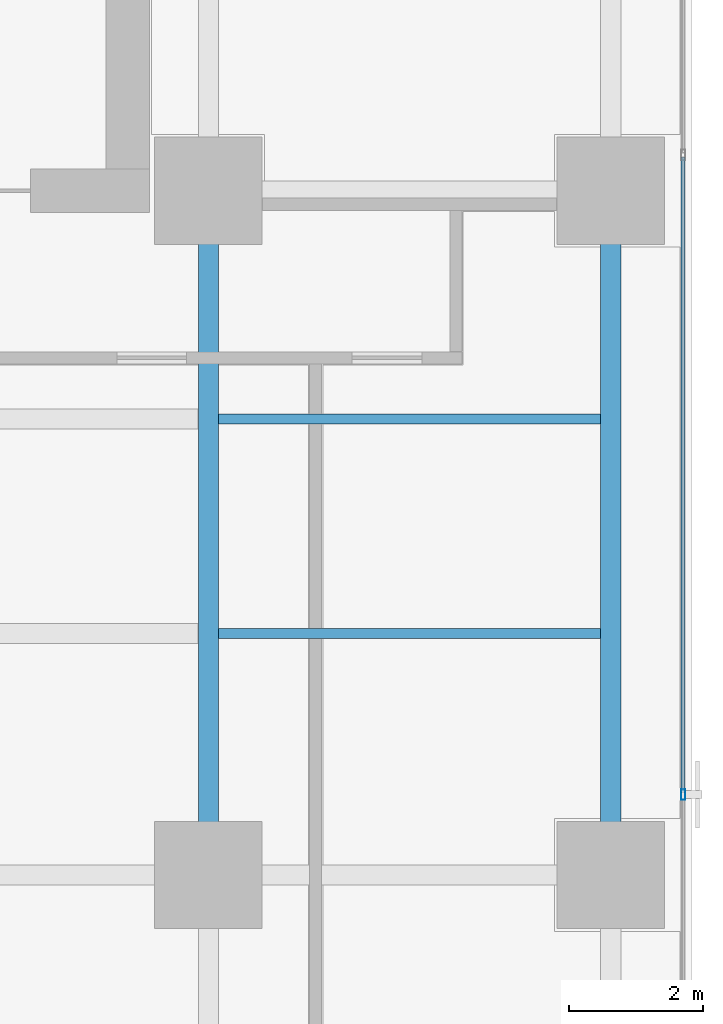
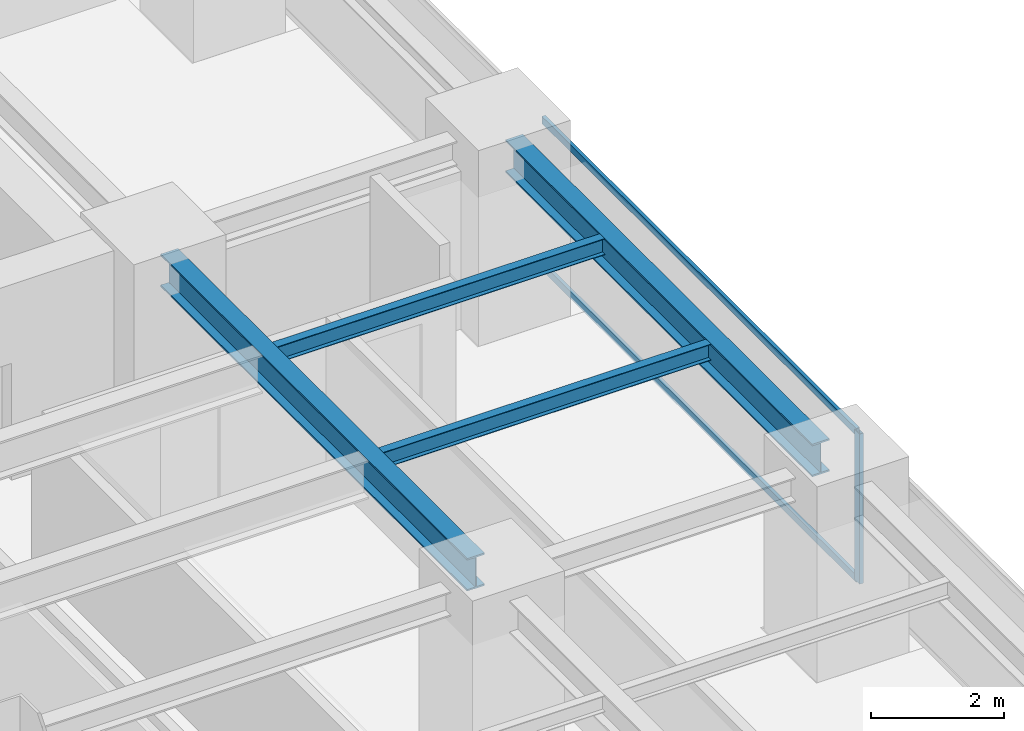
# One storey, part 13 of 28: 4 beams, 3 members, 1 element without a shape of its own.
"""IFC4 building model written with IfcOpenShell, lengths in metres."""

import ifcopenshell
import ifcopenshell.guid

model = None  # the IFC model being written
_history = None  # IfcOwnerHistory: only IFC2X3 demands one
_inside = {}  # id of a spatial element -> (the spatial element, [elements in it])
_under = {}  # id of a project, library or spatial element -> (it, [spatial elements below it])
_declared = {}  # id of a project -> (the project, [libraries it declares])
_typed = {}  # id of a type object -> (the type object, [elements of that type])
_made_of = {}  # id of a material, layer set ... -> (it, [elements and type objects made of it])


def new_model(schema):
    """Start an empty IFC model of exactly this schema.

    Asked for "IFC4X3", IfcOpenShell would pick the latest addendum, in which some entities
    have other attributes; the version numbers below select the first issue.
    IFC2X3 requires an IfcOwnerHistory on every rooted entity: one is made here for all.
    """
    global model, _history
    if schema == "IFC4X3":
        model = ifcopenshell.file(schema_version=(4, 3, 0, 0))
    else:
        model = ifcopenshell.file(schema=schema)
    _inside.clear()
    _under.clear()
    _declared.clear()
    _typed.clear()
    _made_of.clear()
    _history = None
    if model.schema == "IFC2X3":
        org = make("IfcOrganization", Name="unknown")
        user = make(
            "IfcPersonAndOrganization",
            ThePerson=make("IfcPerson", FamilyName="unknown"),
            TheOrganization=org,
        )
        app = make(
            "IfcApplication",
            ApplicationDeveloper=org,
            Version="unknown",
            ApplicationFullName="unknown",
            ApplicationIdentifier="unknown",
        )
        _history = make(
            "IfcOwnerHistory",
            OwningUser=user,
            OwningApplication=app,
            ChangeAction="ADDED",
            CreationDate=0,
        )
    return model


def make(cls, **values):
    """One entity of the class cls with the attributes given. An attribute that is None is left unset."""
    return model.create_entity(
        cls, **{name: value for name, value in values.items() if value is not None}
    )


def rooted(cls, **values):
    """An entity with a GlobalId (a new one), such as an element, a storey or a relation."""
    return make(cls, GlobalId=ifcopenshell.guid.new(), OwnerHistory=_history, **values)


def si_unit(unit_type, name, prefix=None):
    """IfcSIUnit, for example si_unit("LENGTHUNIT", "METRE", prefix="MILLI")."""
    return make("IfcSIUnit", UnitType=unit_type, Prefix=prefix, Name=name)


def assignment(units):
    """IfcUnitAssignment: the units of a project."""
    return None if units is None else make("IfcUnitAssignment", Units=units)


def point(xyz):
    """IfcCartesianPoint."""
    return None if xyz is None else make("IfcCartesianPoint", Coordinates=xyz)


def direction(xyz):
    """IfcDirection."""
    return None if xyz is None else make("IfcDirection", DirectionRatios=xyz)


def frame(location, z_axis=None, x_axis=None):
    """IfcAxis2Placement3D, a coordinate frame: its origin and axes. An axis left out is left unset."""
    return make(
        "IfcAxis2Placement3D",
        Location=point(location),
        Axis=direction(z_axis),
        RefDirection=direction(x_axis),
    )


def frame_2d(location, x_axis=None):
    """IfcAxis2Placement2D, a coordinate frame in the plane: its origin and x axis."""
    return make(
        "IfcAxis2Placement2D", Location=point(location), RefDirection=direction(x_axis)
    )


def origin():
    """The frame at (0, 0, 0) with its axes left unset."""
    return frame((0.0, 0.0, 0.0))


def origin_2d():
    """The frame at (0, 0) in the plane with its x axis left unset."""
    return frame_2d((0.0, 0.0))


def place(relative_to, where):
    """IfcLocalPlacement: puts the frame where relative to a parent placement (None: the world)."""
    return make(
        "IfcLocalPlacement", PlacementRelTo=relative_to, RelativePlacement=where
    )


def context(
    kind, dimensions, precision=None, world=None, true_north=None, identifier=None
):
    """IfcGeometricRepresentationContext, for example the 3D "Model" context."""
    return make(
        "IfcGeometricRepresentationContext",
        ContextIdentifier=identifier,
        ContextType=kind,
        CoordinateSpaceDimension=dimensions,
        Precision=precision,
        WorldCoordinateSystem=world,
        TrueNorth=true_north,
    )


def subcontext(parent, identifier, kind, view, scale=None):
    """IfcGeometricRepresentationSubContext, for example "Body" below "Model"."""
    return make(
        "IfcGeometricRepresentationSubContext",
        ContextIdentifier=identifier,
        ContextType=kind,
        ParentContext=parent,
        TargetScale=scale,
        TargetView=view,
    )


def project(units=None, contexts=None):
    """IfcProject with its units and contexts."""
    return rooted(
        "IfcProject",
        Name="project",
        RepresentationContexts=contexts,
        UnitsInContext=assignment(units),
    )


def spatial(cls, under=None, at=None, **own):
    """A site, building, storey or space (cls), placed at a placement, below another one or the project."""
    s = rooted(cls, ObjectPlacement=at, **own)
    if under is not None:
        _under.setdefault(under.id(), (under, []))[1].append(s)
    return s


def profile(cls, at=None, kind="AREA", **sizes):
    """A parametric profile (cls). Its sizes go by their IFC names, for example OverallWidth=200.0."""
    return make(cls, ProfileType=kind, Position=at, **sizes)


def hollow_rectangle(**sizes):
    """IfcRectangleHollowProfileDef."""
    return profile("IfcRectangleHollowProfileDef", **sizes)


def i_section(**sizes):
    """IfcIShapeProfileDef."""
    return profile("IfcIShapeProfileDef", **sizes)


def extrude(swept, where, along, depth):
    """IfcExtrudedAreaSolid: the profile swept, set in the frame where, extruded along a direction by depth."""
    return make(
        "IfcExtrudedAreaSolid",
        SweptArea=swept,
        Position=where,
        ExtrudedDirection=direction(along),
        Depth=depth,
    )


def shape(context_of_items, identifier, shape_type, items):
    """IfcShapeRepresentation: the items that make up one representation, for example the "Body"."""
    return make(
        "IfcShapeRepresentation",
        ContextOfItems=context_of_items,
        RepresentationIdentifier=identifier,
        RepresentationType=shape_type,
        Items=items,
    )


def source(mapping_origin, context_of_items, identifier, shape_type, items):
    """IfcRepresentationMap: a shape defined once, which mapped items show again and again."""
    return make(
        "IfcRepresentationMap",
        MappingOrigin=mapping_origin,
        MappedRepresentation=shape(context_of_items, identifier, shape_type, items),
    )


def transform(
    local_origin,
    x_axis=None,
    y_axis=None,
    z_axis=None,
    scale=None,
    scale2=None,
    scale3=None,
    uniform=True,
):
    """IfcCartesianTransformationOperator3D, or its non-uniform kind. x_axis, y_axis, z_axis: its Axis1, 2, 3."""
    if uniform:
        return make(
            "IfcCartesianTransformationOperator3D",
            Axis1=direction(x_axis),
            Axis2=direction(y_axis),
            LocalOrigin=point(local_origin),
            Scale=scale,
            Axis3=direction(z_axis),
        )
    return make(
        "IfcCartesianTransformationOperator3DnonUniform",
        Axis1=direction(x_axis),
        Axis2=direction(y_axis),
        LocalOrigin=point(local_origin),
        Scale=scale,
        Axis3=direction(z_axis),
        Scale2=scale2,
        Scale3=scale3,
    )


def mapped(mapping_source, mapping_target):
    """IfcMappedItem: shows the shape of a source again, moved by a transform."""
    return make(
        "IfcMappedItem", MappingSource=mapping_source, MappingTarget=mapping_target
    )


def material(Name=None, Category=None):
    """IfcMaterial."""
    return make("IfcMaterial", Name=Name, Category=Category)


def layer(
    of_material, thickness, ventilated=None, Name=None, Category=None, Priority=None
):
    """IfcMaterialLayer: one layer of a wall or slab, of a material (None: an air gap)."""
    return make(
        "IfcMaterialLayer",
        Material=of_material,
        LayerThickness=thickness,
        IsVentilated=ventilated,
        Name=Name,
        Category=Category,
        Priority=Priority,
    )


def layer_set(layers, Name=None):
    """IfcMaterialLayerSet."""
    return make("IfcMaterialLayerSet", MaterialLayers=layers, LayerSetName=Name)


def material_profile(
    of_material, cross_section, Name=None, Category=None, Priority=None
):
    """IfcMaterialProfile: a cross section and its material."""
    return make(
        "IfcMaterialProfile",
        Name=Name,
        Material=of_material,
        Profile=cross_section,
        Priority=Priority,
        Category=Category,
    )


def profile_set(profiles, Name=None, composite=None):
    """IfcMaterialProfileSet."""
    return make(
        "IfcMaterialProfileSet",
        Name=Name,
        MaterialProfiles=profiles,
        CompositeProfile=composite,
    )


def made_of(thing, what):
    """Note that an element or type object is made of a material, layer set ...; save() writes the relation."""
    if what is not None:
        _made_of.setdefault(what.id(), (what, []))[1].append(thing)
    return thing


def type_object(cls, material=None, **own):
    """A type object (cls), such as IfcWallType, which elements share."""
    return made_of(rooted(cls, **own), material)


def element(
    cls,
    number,
    at=None,
    inside=None,
    cuts=None,
    type_object=None,
    material=None,
    context=None,
    identifier="Body",
    shape_type=None,
    held_by="IfcProductDefinitionShape",
    body=None,
    shapes=None,
    **own,
):
    """One element of the class cls, such as IfcWall. Its Tag is "e" and its number.

    at: its placement. inside: the storey or other place that contains it. cuts: it is an
    opening in that element (IfcRelVoidsElement). A single representation is given by context,
    identifier, shape_type and body (its items); several are given by shapes. held_by: the class
    of the entity that holds the representations. save() writes the other relations.
    """
    e = rooted(cls, Tag="e%d" % number, ObjectPlacement=at, **own)
    if body is not None:
        shapes = [shape(context, identifier, shape_type, body)]
    if shapes is not None:
        e.Representation = make(held_by, Representations=shapes)
    if inside is not None:
        _inside.setdefault(inside.id(), (inside, []))[1].append(e)
    if cuts is not None:
        rooted(
            "IfcRelVoidsElement", RelatingBuildingElement=cuts, RelatedOpeningElement=e
        )
    if type_object is not None:
        _typed.setdefault(type_object.id(), (type_object, []))[1].append(e)
    return made_of(e, material)


def aggregate(whole, parts):
    """IfcRelAggregates: a whole, such as a stair, and the parts it consists of."""
    return rooted("IfcRelAggregates", RelatingObject=whole, RelatedObjects=parts)


def save(model, path):
    """Write the relations noted so far, then the file.

    IfcRelAggregates (storeys below a building ...), IfcRelContainedInSpatialStructure (elements
    in a storey), IfcRelDefinesByType, IfcRelAssociatesMaterial and IfcRelDeclares: one each for
    every whole, place, type object, material and project.
    """
    for whole, parts in _under.values():
        aggregate(whole, parts)
    for where, things in _inside.values():
        rooted(
            "IfcRelContainedInSpatialStructure",
            RelatedElements=things,
            RelatingStructure=where,
        )
    for kind, things in _typed.values():
        rooted("IfcRelDefinesByType", RelatedObjects=things, RelatingType=kind)
    for what, things in _made_of.values():
        rooted("IfcRelAssociatesMaterial", RelatedObjects=things, RelatingMaterial=what)
    for by, libraries in _declared.values():
        rooted("IfcRelDeclares", RelatingContext=by, RelatedDefinitions=libraries)
    model.write(path)


model = new_model("IFC4")

# Units and contexts
model_context = context("Model", 3, precision=1e-05, world=origin(), true_north=direction((0.0, 1.0)))
body_context = subcontext(model_context, "Body", "Model", "MODEL_VIEW")
ifc_project = project(units=[si_unit("LENGTHUNIT", "METRE"), si_unit("AREAUNIT", "SQUARE_METRE"), si_unit("VOLUMEUNIT", "CUBIC_METRE"), si_unit("PLANEANGLEUNIT", "RADIAN"), si_unit("MASSUNIT", "GRAM", prefix="KILO")], contexts=[model_context])

# Site, building, storey
site_placement = place(None, origin())
site = spatial("IfcSite", under=ifc_project, at=site_placement, CompositionType="ELEMENT")
building_placement = place(site_placement, origin())
building = spatial("IfcBuilding", under=site, at=building_placement, Name="Sumidabori Civic Tower", CompositionType="ELEMENT")
storey_placement = place(building_placement, frame((0.0, 0.0, 171.199951171875)))
storey = spatial("IfcBuildingStorey", under=building, at=storey_placement, Name="L44", CompositionType="ELEMENT", Elevation=171.199951171875)

# Beams
ifc_material_1 = material(Name="Steel SN490", Category="steel")
ifc_material_profile_1 = material_profile(ifc_material_1, i_section(OverallWidth=0.300048828125, OverallDepth=0.60009765625, WebThickness=0.015380859375, FlangeThickness=0.030029296875, at=origin_2d()), Name="HE 600 B")
ifc_profile_set_1 = profile_set([ifc_material_profile_1], Name="Steel SN490")
beam_type_1 = type_object("IfcBeamType", Name="BM-GIRD-600", PredefinedType="BEAM", material=ifc_profile_set_1)
shared_shape_1 = source(origin(), body_context, "Body", "SweptSolid", [
    extrude(i_section(OverallWidth=0.300048828125, OverallDepth=0.60009765625, WebThickness=0.015380859375, FlangeThickness=0.030029296875, at=origin_2d()), origin(), (0.0, 0.0, 1.0), 9.239990234375),
])
for number, where, z_axis, x_axis, name in (
    (1, (16.800048828125, 0.47998046875, 3.080078125), (0.0, 1.0, 0.0), (-1.0, 0.0, 0.0), "Primary Girder L44 GY-34"),
    (2, (22.800048828125, 0.47998046875, 3.080078125), (0.0, 1.0, 0.0), (-1.0, 0.0, 0.0), "Primary Girder L44 GY-37"),
):
    element("IfcBeam", number, at=place(storey_placement, frame(where, z_axis=z_axis, x_axis=x_axis)), inside=storey, type_object=beam_type_1, Name=name, PredefinedType="BEAM", context=body_context, shape_type="MappedRepresentation", body=[
        mapped(shared_shape_1, transform((0.0, 0.0, 0.0), x_axis=(1.0, 0.0, 0.0), y_axis=(0.0, 1.0, 0.0), z_axis=(0.0, 0.0, 1.0), scale=1.0)),
    ])
ifc_material_profile_2 = material_profile(ifc_material_1, i_section(OverallWidth=0.14990234375, OverallDepth=0.300048828125, WebThickness=0.007080078125, FlangeThickness=0.0107421875, at=origin_2d()), Name="IPE 300")
ifc_profile_set_2 = profile_set([ifc_material_profile_2], Name="Steel SN490")
beam_type_2 = type_object("IfcBeamType", Name="BM-JST-300", PredefinedType="JOIST", material=ifc_profile_set_2)
shared_shape_2 = source(origin(), body_context, "Body", "SweptSolid", [
    extrude(i_section(OverallWidth=0.14990234375, OverallDepth=0.300048828125, WebThickness=0.007080078125, FlangeThickness=0.0107421875, at=origin_2d()), origin(), (0.0, 0.0, 1.0), 5.699951171875),
])
for number, where, z_axis, x_axis, name in (
    (3, (16.949951171875, 3.60009765625, 3.22998046875), (1.0, 0.0, 0.0), (0.0, 1.0, 0.0), "Outer Bay Floor Joist L44 JSTO-44"),
    (4, (16.949951171875, 6.800048828125, 3.22998046875), (1.0, 0.0, 0.0), (0.0, 1.0, 0.0), "Outer Bay Floor Joist L44 JSTO-46"),
):
    element("IfcBeam", number, at=place(storey_placement, frame(where, z_axis=z_axis, x_axis=x_axis)), inside=storey, type_object=beam_type_2, Name=name, PredefinedType="JOIST", context=body_context, shape_type="MappedRepresentation", body=[
        mapped(shared_shape_2, transform((0.0, 0.0, 0.0), x_axis=(1.0, 0.0, 0.0), y_axis=(0.0, 1.0, 0.0), z_axis=(0.0, 0.0, 1.0), scale=1.0)),
    ])

# Curtain wall, members
ifc_material_2 = material(Name="Anodised Bronze Aluminium AW-6063-T6", Category="aluminium")
ifc_layer = layer(ifc_material_2, 0.179931640625, Name="Anodised Bronze Aluminium AW-6063-T6")
ifc_layer_set = layer_set([ifc_layer], Name="Anodised Bronze Aluminium AW-6063-T6")
curtain_wall_type = type_object("IfcCurtainWallType", Name="CW-SYS-3", PredefinedType="NOTDEFINED", material=ifc_layer_set)
curtain_wall_placement = place(storey_placement, origin())
curtain_wall = element("IfcCurtainWall", 5, at=curtain_wall_placement, inside=storey, type_object=curtain_wall_type, Name="Curtain Wall CW:L44:R04", PredefinedType="NOTDEFINED")
ifc_material_profile_3 = material_profile(ifc_material_2, hollow_rectangle(XDim=0.06494140625, YDim=0.159912109375, WallThickness=0.0048828125, at=origin_2d()), Name="ALU MULLION 160x65")
ifc_profile_set_3 = profile_set([ifc_material_profile_3], Name="Anodised Bronze Aluminium AW-6063-T6")
member_type_1 = type_object("IfcMemberType", Name="CW-MUL-160", PredefinedType="MULLION", material=ifc_profile_set_3)
shared_shape_3 = source(origin(), body_context, "Body", "SweptSolid", [
    extrude(hollow_rectangle(XDim=0.06494140625, YDim=0.159912109375, WallThickness=0.0048828125, at=origin_2d()), origin(), (0.0, 0.0, 1.0), 2.760009765625),
])
member_1_placement = place(storey_placement, frame((23.8798828125, 1.199951171875, 0.0), z_axis=(0.0, 0.0, 1.0), x_axis=(-1.0, 0.0, 0.0)))
member_1 = element("IfcMember", 6, at=member_1_placement, type_object=member_type_1, Name="CW-3 mullion 3", PredefinedType="MULLION", context=body_context, shape_type="MappedRepresentation", body=[
    mapped(shared_shape_3, transform((0.0, 0.0, 0.0), x_axis=(1.0, 0.0, 0.0), y_axis=(0.0, 1.0, 0.0), z_axis=(0.0, 0.0, 1.0), scale=1.0)),
])
ifc_material_profile_4 = material_profile(ifc_material_2, hollow_rectangle(XDim=0.06005859375, YDim=0.1298828125, WallThickness=0.0048828125, at=origin_2d()), Name="ALU TRANSOM 130x60")
ifc_profile_set_4 = profile_set([ifc_material_profile_4], Name="Anodised Bronze Aluminium AW-6063-T6")
member_type_2 = type_object("IfcMemberType", Name="CW-TRN-130", PredefinedType="USERDEFINED", material=ifc_profile_set_4)
shared_shape_4 = source(origin(), body_context, "Body", "SweptSolid", [
    extrude(hollow_rectangle(XDim=0.06005859375, YDim=0.1298828125, WallThickness=0.0048828125, at=origin_2d()), origin(), (0.0, 0.0, 1.0), 9.469970703125),
])
member_2_placement = place(storey_placement, frame((23.8798828125, 1.232421875, 0.030029296875), z_axis=(0.0, 1.0, 0.0), x_axis=(-1.0, 0.0, 0.0)))
member_2 = element("IfcMember", 7, at=member_2_placement, type_object=member_type_2, Name="CW-3 transom 3.1", ObjectType="TRANSOM", PredefinedType="USERDEFINED", context=body_context, shape_type="MappedRepresentation", body=[
    mapped(shared_shape_4, transform((0.0, 0.0, 0.0), x_axis=(1.0, 0.0, 0.0), y_axis=(0.0, 1.0, 0.0), z_axis=(0.0, 0.0, 1.0), scale=1.0)),
])
member_3_placement = place(storey_placement, frame((23.8798828125, 1.232421875, 2.72998046875), z_axis=(0.0, 1.0, 0.0), x_axis=(-1.0, 0.0, 0.0)))
member_3 = element("IfcMember", 8, at=member_3_placement, type_object=member_type_2, Name="CW-3 transom 3.2", ObjectType="TRANSOM", PredefinedType="USERDEFINED", context=body_context, shape_type="MappedRepresentation", body=[
    mapped(shared_shape_4, transform((0.0, 0.0, 0.0), x_axis=(1.0, 0.0, 0.0), y_axis=(0.0, 1.0, 0.0), z_axis=(0.0, 0.0, 1.0), scale=1.0)),
])
aggregate(curtain_wall, [member_1, member_2, member_3])

save(model, "model.ifc")
